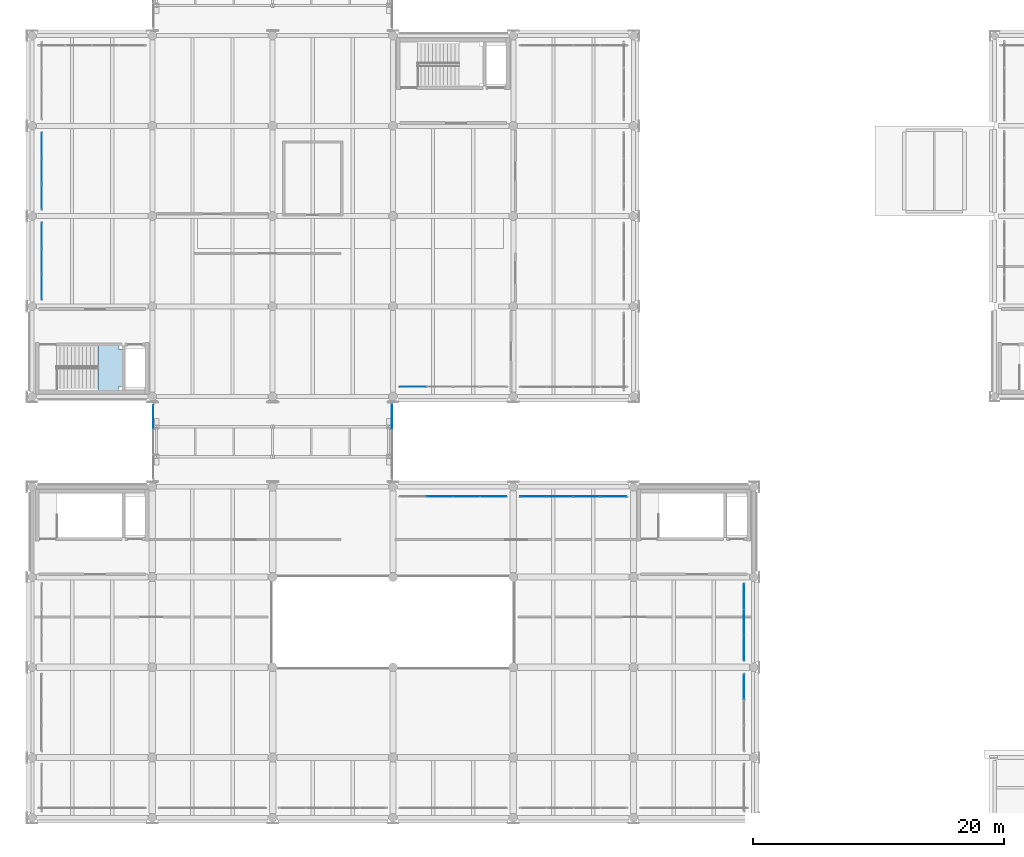
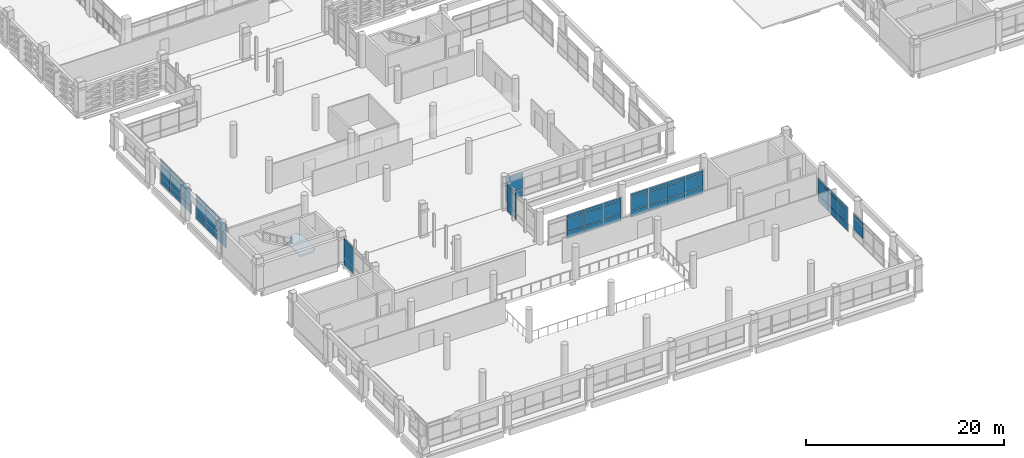
# One storey, part 122 of 180: 59 plates, 1 slab, 10 elements without a shape of their own.
"""IFC4 building model written with IfcOpenShell, lengths in metres."""

from ifc_helpers import new_model, si_unit, direction, frame, origin, origin_2d, place, context, subcontext, project, spatial, polyline, rectangle, outline, extrude, material, layer, layer_set, type_object, element, aggregate, save


model = new_model("IFC4")

# Units and contexts
model_context = context("Model", 3, precision=1e-05, world=origin(), true_north=direction((0.0, 1.0)))
body_context = subcontext(model_context, "Body", "Model", "MODEL_VIEW")
ifc_project = project(units=[si_unit("LENGTHUNIT", "METRE"), si_unit("AREAUNIT", "SQUARE_METRE"), si_unit("VOLUMEUNIT", "CUBIC_METRE"), si_unit("PLANEANGLEUNIT", "RADIAN"), si_unit("MASSUNIT", "GRAM", prefix="KILO")], contexts=[model_context])

# Site, building, storey
site_placement = place(None, origin())
site = spatial("IfcSite", under=ifc_project, at=site_placement, CompositionType="ELEMENT")
building_placement = place(site_placement, origin())
building = spatial("IfcBuilding", under=site, at=building_placement, Name="Asteropetra Specialist Clinic", CompositionType="ELEMENT")
storey_placement = place(building_placement, frame((0.0, 0.0, 4.419921875)))
storey = spatial("IfcBuildingStorey", under=building, at=storey_placement, Name="L01", CompositionType="ELEMENT", Elevation=4.419921875)

# Curtain wall, plates
ifc_material_1 = material(Name="Aluminium and low-E glass", Category="aluminium")
ifc_layer_1 = layer(ifc_material_1, 0.179931640625)
ifc_layer_set_1 = layer_set([ifc_layer_1], Name="Aluminium and low-E glass")
curtain_wall_type_1 = type_object("IfcCurtainWallType", Name="CW-SYS-10", PredefinedType="USERDEFINED", material=ifc_layer_set_1)
curtain_wall_1_placement = place(storey_placement, origin())
curtain_wall_1 = element("IfcCurtainWall", 1, at=curtain_wall_1_placement, inside=storey, type_object=curtain_wall_type_1, Name="Curtain Wall CW-144", ObjectType="STICK GLAZED COLONNADE", PredefinedType="USERDEFINED")
ifc_material_2 = material(Name="Low-E double glazing", Category="glass")
ifc_layer_2 = layer(ifc_material_2, 0.028076171875)
ifc_layer_set_2 = layer_set([ifc_layer_2], Name="Low-E double glazing")
plate_type_1 = type_object("IfcPlateType", Name="CWP-GLZ-28", PredefinedType="CURTAIN_PANEL", material=ifc_layer_set_2)
plate_1_placement = place(storey_placement, frame((56.820068359375, 10.441162109375, 0.9375), z_axis=(0.0, 0.0, 1.0), x_axis=(0.0, 1.0, 0.0)))
plate_1 = element("IfcPlate", 2, at=plate_1_placement, type_object=plate_type_1, Name="CW-144 panel 3.2", PredefinedType="CURTAIN_PANEL", context=body_context, shape_type="SweptSolid", body=[
    extrude(rectangle(XDim=1.947509765625, YDim=0.028076171875, at=origin_2d()), origin(), (0.0, 0.0, 1.0), 1.534912109375),
])
plate_2_placement = place(storey_placement, frame((56.820068359375, 10.441162109375, 2.54736328125), z_axis=(0.0, 0.0, 1.0), x_axis=(0.0, 1.0, 0.0)))
plate_2 = element("IfcPlate", 3, at=plate_2_placement, type_object=plate_type_1, Name="CW-144 panel 3.3", PredefinedType="CURTAIN_PANEL", context=body_context, shape_type="SweptSolid", body=[
    extrude(rectangle(XDim=1.947509765625, YDim=0.028076171875, at=origin_2d()), origin(), (0.0, 0.0, 1.0), 0.387451171875),
])
aggregate(curtain_wall_1, [plate_1, plate_2])

ifc_material_3 = material(Name="Aluminium and low-E glass", Category="aluminium")
ifc_layer_3 = layer(ifc_material_3, 0.135009765625)
ifc_layer_set_3 = layer_set([ifc_layer_3], Name="Aluminium and low-E glass")
curtain_wall_type_2 = type_object("IfcCurtainWallType", Name="CW-SYS-09", PredefinedType="USERDEFINED", material=ifc_layer_set_3)
curtain_wall_2_placement = place(storey_placement, origin())
curtain_wall_2 = element("IfcCurtainWall", 4, at=curtain_wall_2_placement, inside=storey, type_object=curtain_wall_type_2, Name="Curtain Wall CW-156", ObjectType="STICK GLAZED COLONNADE", PredefinedType="USERDEFINED")
plate_3_placement = place(storey_placement, frame((30.4013671875, 34.3798828125, 0.074951171875), z_axis=(0.0, 0.0, 1.0), x_axis=(1.0, 0.0, 0.0)))
plate_3 = element("IfcPlate", 5, at=plate_3_placement, type_object=plate_type_1, Name="CW-156 panel 1.1", PredefinedType="CURTAIN_PANEL", context=body_context, shape_type="SweptSolid", body=[
    extrude(rectangle(XDim=2.032470703125, YDim=0.028076171875, at=origin_2d()), origin(), (0.0, 0.0, 1.0), 0.78759765625),
])
plate_4_placement = place(storey_placement, frame((30.4013671875, 34.3798828125, 0.9375), z_axis=(0.0, 0.0, 1.0), x_axis=(1.0, 0.0, 0.0)))
plate_4 = element("IfcPlate", 6, at=plate_4_placement, type_object=plate_type_1, Name="CW-156 panel 1.2", PredefinedType="CURTAIN_PANEL", context=body_context, shape_type="SweptSolid", body=[
    extrude(rectangle(XDim=2.032470703125, YDim=0.028076171875, at=origin_2d()), origin(), (0.0, 0.0, 1.0), 1.5849609375),
])
plate_5_placement = place(storey_placement, frame((30.4013671875, 34.3798828125, 2.59765625), z_axis=(0.0, 0.0, 1.0), x_axis=(1.0, 0.0, 0.0)))
plate_5 = element("IfcPlate", 7, at=plate_5_placement, type_object=plate_type_1, Name="CW-156 panel 1.3", PredefinedType="CURTAIN_PANEL", context=body_context, shape_type="SweptSolid", body=[
    extrude(rectangle(XDim=2.032470703125, YDim=0.028076171875, at=origin_2d()), origin(), (0.0, 0.0, 1.0), 0.387451171875),
])
aggregate(curtain_wall_2, [plate_3, plate_4, plate_5])

curtain_wall_3_placement = place(storey_placement, origin())
curtain_wall_3 = element("IfcCurtainWall", 8, at=curtain_wall_3_placement, inside=storey, type_object=curtain_wall_type_1, Name="Curtain Wall CW-160", ObjectType="STICK GLAZED COLONNADE", PredefinedType="USERDEFINED")
plate_6_placement = place(storey_placement, frame((0.780029296875, 46.44384765625, 0.06494140625), z_axis=(0.0, 0.0, 1.0), x_axis=(0.0, -1.0, 0.0)))
plate_6 = element("IfcPlate", 9, at=plate_6_placement, type_object=plate_type_1, Name="CW-160 panel 1.1", PredefinedType="CURTAIN_PANEL", context=body_context, shape_type="SweptSolid", body=[
    extrude(rectangle(XDim=1.96240234375, YDim=0.028076171875, at=origin_2d()), origin(), (0.0, 0.0, 1.0), 0.802490234375),
])
plate_7_placement = place(storey_placement, frame((0.780029296875, 46.44384765625, 0.9326171875), z_axis=(0.0, 0.0, 1.0), x_axis=(0.0, -1.0, 0.0)))
plate_7 = element("IfcPlate", 10, at=plate_7_placement, type_object=plate_type_1, Name="CW-160 panel 1.2", PredefinedType="CURTAIN_PANEL", context=body_context, shape_type="SweptSolid", body=[
    extrude(rectangle(XDim=1.96240234375, YDim=0.028076171875, at=origin_2d()), origin(), (0.0, 0.0, 1.0), 1.594970703125),
])
plate_8_placement = place(storey_placement, frame((0.780029296875, 46.44384765625, 2.5927734375), z_axis=(0.0, 0.0, 1.0), x_axis=(0.0, -1.0, 0.0)))
plate_8 = element("IfcPlate", 11, at=plate_8_placement, type_object=plate_type_1, Name="CW-160 panel 1.3", PredefinedType="CURTAIN_PANEL", context=body_context, shape_type="SweptSolid", body=[
    extrude(rectangle(XDim=1.96240234375, YDim=0.028076171875, at=origin_2d()), origin(), (0.0, 0.0, 1.0), 0.402587890625),
])
plate_9_placement = place(storey_placement, frame((0.780029296875, 44.39990234375, 0.06494140625), z_axis=(0.0, 0.0, 1.0), x_axis=(0.0, -1.0, 0.0)))
plate_9 = element("IfcPlate", 12, at=plate_9_placement, type_object=plate_type_1, Name="CW-160 panel 2.1", PredefinedType="CURTAIN_PANEL", context=body_context, shape_type="SweptSolid", body=[
    extrude(rectangle(XDim=1.9951171875, YDim=0.028076171875, at=origin_2d()), origin(), (0.0, 0.0, 1.0), 0.802490234375),
])
plate_10_placement = place(storey_placement, frame((0.780029296875, 44.39990234375, 0.9326171875), z_axis=(0.0, 0.0, 1.0), x_axis=(0.0, -1.0, 0.0)))
plate_10 = element("IfcPlate", 13, at=plate_10_placement, type_object=plate_type_1, Name="CW-160 panel 2.2", PredefinedType="CURTAIN_PANEL", context=body_context, shape_type="SweptSolid", body=[
    extrude(rectangle(XDim=1.9951171875, YDim=0.028076171875, at=origin_2d()), origin(), (0.0, 0.0, 1.0), 1.594970703125),
])
plate_11_placement = place(storey_placement, frame((0.780029296875, 44.39990234375, 2.5927734375), z_axis=(0.0, 0.0, 1.0), x_axis=(0.0, -1.0, 0.0)))
plate_11 = element("IfcPlate", 14, at=plate_11_placement, type_object=plate_type_1, Name="CW-160 panel 2.3", PredefinedType="CURTAIN_PANEL", context=body_context, shape_type="SweptSolid", body=[
    extrude(rectangle(XDim=1.9951171875, YDim=0.028076171875, at=origin_2d()), origin(), (0.0, 0.0, 1.0), 0.402587890625),
])
plate_12_placement = place(storey_placement, frame((0.780029296875, 42.356201171875, 0.06494140625), z_axis=(0.0, 0.0, 1.0), x_axis=(0.0, -1.0, 0.0)))
plate_12 = element("IfcPlate", 15, at=plate_12_placement, type_object=plate_type_1, Name="CW-160 panel 3.1", PredefinedType="CURTAIN_PANEL", context=body_context, shape_type="SweptSolid", body=[
    extrude(rectangle(XDim=1.96240234375, YDim=0.028076171875, at=origin_2d()), origin(), (0.0, 0.0, 1.0), 0.802490234375),
])
plate_13_placement = place(storey_placement, frame((0.780029296875, 42.356201171875, 0.9326171875), z_axis=(0.0, 0.0, 1.0), x_axis=(0.0, -1.0, 0.0)))
plate_13 = element("IfcPlate", 16, at=plate_13_placement, type_object=plate_type_1, Name="CW-160 panel 3.2", PredefinedType="CURTAIN_PANEL", context=body_context, shape_type="SweptSolid", body=[
    extrude(rectangle(XDim=1.96240234375, YDim=0.028076171875, at=origin_2d()), origin(), (0.0, 0.0, 1.0), 1.594970703125),
])
plate_14_placement = place(storey_placement, frame((0.780029296875, 42.356201171875, 2.5927734375), z_axis=(0.0, 0.0, 1.0), x_axis=(0.0, -1.0, 0.0)))
plate_14 = element("IfcPlate", 17, at=plate_14_placement, type_object=plate_type_1, Name="CW-160 panel 3.3", PredefinedType="CURTAIN_PANEL", context=body_context, shape_type="SweptSolid", body=[
    extrude(rectangle(XDim=1.96240234375, YDim=0.028076171875, at=origin_2d()), origin(), (0.0, 0.0, 1.0), 0.402587890625),
])
aggregate(curtain_wall_3, [plate_6, plate_7, plate_8, plate_9, plate_10, plate_11, plate_12, plate_13, plate_14])

ifc_material_4 = material(Name="Aluminium and low-E glass", Category="aluminium")
ifc_layer_4 = layer(ifc_material_4, 0.179931640625)
ifc_layer_set_4 = layer_set([ifc_layer_4], Name="Aluminium and low-E glass")
curtain_wall_type_3 = type_object("IfcCurtainWallType", Name="CW-SYS-07", PredefinedType="USERDEFINED", material=ifc_layer_set_4)
curtain_wall_4_placement = place(storey_placement, origin())
curtain_wall_4 = element("IfcCurtainWall", 18, at=curtain_wall_4_placement, inside=storey, type_object=curtain_wall_type_3, Name="Curtain Wall CW-097", ObjectType="STICK GLAZED COLONNADE", PredefinedType="USERDEFINED")
ifc_material_5 = material(Name="Low-E acoustic double glazing", Category="glass")
ifc_layer_5 = layer(ifc_material_5, 0.031982421875)
ifc_layer_set_5 = layer_set([ifc_layer_5], Name="Low-E acoustic double glazing")
plate_type_2 = type_object("IfcPlateType", Name="CWP-GLZ-32", PredefinedType="CURTAIN_PANEL", material=ifc_layer_set_5)
plate_15_placement = place(storey_placement, frame((9.679931640625, 31.97705078125, 0.06494140625), z_axis=(0.0, 0.0, 1.0), x_axis=(0.0, 1.0, 0.0)))
plate_15 = element("IfcPlate", 19, at=plate_15_placement, type_object=plate_type_2, Name="CW-097 panel 3.1", PredefinedType="CURTAIN_PANEL", context=body_context, shape_type="SweptSolid", body=[
    extrude(rectangle(XDim=1.895751953125, YDim=0.031982421875, at=origin_2d()), origin(), (0.0, 0.0, 1.0), 0.802490234375),
])
plate_16_placement = place(storey_placement, frame((9.679931640625, 31.97705078125, 0.9326171875), z_axis=(0.0, 0.0, 1.0), x_axis=(0.0, 1.0, 0.0)))
plate_16 = element("IfcPlate", 20, at=plate_16_placement, type_object=plate_type_2, Name="CW-097 panel 3.2", PredefinedType="CURTAIN_PANEL", context=body_context, shape_type="SweptSolid", body=[
    extrude(rectangle(XDim=1.895751953125, YDim=0.031982421875, at=origin_2d()), origin(), (0.0, 0.0, 1.0), 1.965087890625),
])
plate_17_placement = place(storey_placement, frame((9.679931640625, 31.97705078125, 2.96240234375), z_axis=(0.0, 0.0, 1.0), x_axis=(0.0, 1.0, 0.0)))
plate_17 = element("IfcPlate", 21, at=plate_17_placement, type_object=plate_type_2, Name="CW-097 panel 3.3", PredefinedType="CURTAIN_PANEL", context=body_context, shape_type="SweptSolid", body=[
    extrude(rectangle(XDim=1.895751953125, YDim=0.031982421875, at=origin_2d()), origin(), (0.0, 0.0, 1.0), 0.402587890625),
])
aggregate(curtain_wall_4, [plate_15, plate_16, plate_17])

curtain_wall_5_placement = place(storey_placement, origin())
curtain_wall_5 = element("IfcCurtainWall", 22, at=curtain_wall_5_placement, inside=storey, type_object=curtain_wall_type_2, Name="Curtain Wall CW-137", ObjectType="STICK GLAZED COLONNADE", PredefinedType="USERDEFINED")
plate_18_placement = place(storey_placement, frame((36.802490234375, 25.6201171875, 0.06005859375), z_axis=(0.0, 0.0, 1.0), x_axis=(-1.0, 0.0, 0.0)))
plate_18 = element("IfcPlate", 23, at=plate_18_placement, type_object=plate_type_2, Name="CW-137 panel 1.1", PredefinedType="CURTAIN_PANEL", context=body_context, shape_type="SweptSolid", body=[
    extrude(rectangle(XDim=2.054931640625, YDim=0.031982421875, at=origin_2d()), origin(), (0.0, 0.0, 1.0), 0.81005859375),
])
plate_19_placement = place(storey_placement, frame((36.802490234375, 25.6201171875, 0.93017578125), z_axis=(0.0, 0.0, 1.0), x_axis=(-1.0, 0.0, 0.0)))
plate_19 = element("IfcPlate", 24, at=plate_19_placement, type_object=plate_type_2, Name="CW-137 panel 1.2", PredefinedType="CURTAIN_PANEL", context=body_context, shape_type="SweptSolid", body=[
    extrude(rectangle(XDim=2.054931640625, YDim=0.031982421875, at=origin_2d()), origin(), (0.0, 0.0, 1.0), 1.550048828125),
])
plate_20_placement = place(storey_placement, frame((36.802490234375, 25.6201171875, 2.5400390625), z_axis=(0.0, 0.0, 1.0), x_axis=(-1.0, 0.0, 0.0)))
plate_20 = element("IfcPlate", 25, at=plate_20_placement, type_object=plate_type_2, Name="CW-137 panel 1.3", PredefinedType="CURTAIN_PANEL", context=body_context, shape_type="SweptSolid", body=[
    extrude(rectangle(XDim=2.054931640625, YDim=0.031982421875, at=origin_2d()), origin(), (0.0, 0.0, 1.0), 0.409912109375),
])
plate_21_placement = place(storey_placement, frame((34.672607421875, 25.6201171875, 0.06005859375), z_axis=(0.0, 0.0, 1.0), x_axis=(-1.0, 0.0, 0.0)))
plate_21 = element("IfcPlate", 26, at=plate_21_placement, type_object=plate_type_2, Name="CW-137 panel 2.1", PredefinedType="CURTAIN_PANEL", context=body_context, shape_type="SweptSolid", body=[
    extrude(rectangle(XDim=2.0849609375, YDim=0.031982421875, at=origin_2d()), origin(), (0.0, 0.0, 1.0), 0.81005859375),
])
plate_22_placement = place(storey_placement, frame((34.672607421875, 25.6201171875, 0.93017578125), z_axis=(0.0, 0.0, 1.0), x_axis=(-1.0, 0.0, 0.0)))
plate_22 = element("IfcPlate", 27, at=plate_22_placement, type_object=plate_type_2, Name="CW-137 panel 2.2", PredefinedType="CURTAIN_PANEL", context=body_context, shape_type="SweptSolid", body=[
    extrude(rectangle(XDim=2.0849609375, YDim=0.031982421875, at=origin_2d()), origin(), (0.0, 0.0, 1.0), 1.550048828125),
])
plate_23_placement = place(storey_placement, frame((34.672607421875, 25.6201171875, 2.5400390625), z_axis=(0.0, 0.0, 1.0), x_axis=(-1.0, 0.0, 0.0)))
plate_23 = element("IfcPlate", 28, at=plate_23_placement, type_object=plate_type_2, Name="CW-137 panel 2.3", PredefinedType="CURTAIN_PANEL", context=body_context, shape_type="SweptSolid", body=[
    extrude(rectangle(XDim=2.0849609375, YDim=0.031982421875, at=origin_2d()), origin(), (0.0, 0.0, 1.0), 0.409912109375),
])
plate_24_placement = place(storey_placement, frame((32.527587890625, 25.6201171875, 0.06005859375), z_axis=(0.0, 0.0, 1.0), x_axis=(-1.0, 0.0, 0.0)))
plate_24 = element("IfcPlate", 29, at=plate_24_placement, type_object=plate_type_2, Name="CW-137 panel 3.1", PredefinedType="CURTAIN_PANEL", context=body_context, shape_type="SweptSolid", body=[
    extrude(rectangle(XDim=2.0849609375, YDim=0.031982421875, at=origin_2d()), origin(), (0.0, 0.0, 1.0), 0.81005859375),
])
plate_25_placement = place(storey_placement, frame((32.527587890625, 25.6201171875, 0.93017578125), z_axis=(0.0, 0.0, 1.0), x_axis=(-1.0, 0.0, 0.0)))
plate_25 = element("IfcPlate", 30, at=plate_25_placement, type_object=plate_type_2, Name="CW-137 panel 3.2", PredefinedType="CURTAIN_PANEL", context=body_context, shape_type="SweptSolid", body=[
    extrude(rectangle(XDim=2.0849609375, YDim=0.031982421875, at=origin_2d()), origin(), (0.0, 0.0, 1.0), 1.550048828125),
])
plate_26_placement = place(storey_placement, frame((32.527587890625, 25.6201171875, 2.5400390625), z_axis=(0.0, 0.0, 1.0), x_axis=(-1.0, 0.0, 0.0)))
plate_26 = element("IfcPlate", 31, at=plate_26_placement, type_object=plate_type_2, Name="CW-137 panel 3.3", PredefinedType="CURTAIN_PANEL", context=body_context, shape_type="SweptSolid", body=[
    extrude(rectangle(XDim=2.0849609375, YDim=0.031982421875, at=origin_2d()), origin(), (0.0, 0.0, 1.0), 0.409912109375),
])
aggregate(curtain_wall_5, [plate_18, plate_19, plate_20, plate_21, plate_22, plate_23, plate_24, plate_25, plate_26])

ifc_material_6 = material(Name="Aluminium and low-E glass", Category="aluminium")
ifc_layer_6 = layer(ifc_material_6, 0.14990234375)
ifc_layer_set_6 = layer_set([ifc_layer_6], Name="Aluminium and low-E glass")
curtain_wall_type_4 = type_object("IfcCurtainWallType", Name="CW-SYS-08", PredefinedType="USERDEFINED", material=ifc_layer_set_6)
curtain_wall_6_placement = place(storey_placement, origin())
curtain_wall_6 = element("IfcCurtainWall", 32, at=curtain_wall_6_placement, inside=storey, type_object=curtain_wall_type_4, Name="Curtain Wall CW-098", ObjectType="STICK GLAZED COLONNADE", PredefinedType="USERDEFINED")
ifc_material_7 = material(Name="Solar-control triple glazing", Category="glass")
ifc_layer_7 = layer(ifc_material_7, 0.035888671875)
ifc_layer_set_7 = layer_set([ifc_layer_7], Name="Solar-control triple glazing")
plate_type_3 = type_object("IfcPlateType", Name="CWP-GLZ-36", PredefinedType="CURTAIN_PANEL", material=ifc_layer_set_7)
plate_27_placement = place(storey_placement, frame((28.719970703125, 31.978271484375, 0.06005859375), z_axis=(0.0, 0.0, 1.0), x_axis=(0.0, -1.0, 0.0)))
plate_27 = element("IfcPlate", 33, at=plate_27_placement, type_object=plate_type_3, Name="CW-098 panel 1.1", PredefinedType="CURTAIN_PANEL", context=body_context, shape_type="SweptSolid", body=[
    extrude(rectangle(XDim=1.9033203125, YDim=0.035888671875, at=origin_2d()), origin(), (0.0, 0.0, 1.0), 0.81005859375),
])
plate_28_placement = place(storey_placement, frame((28.719970703125, 31.978271484375, 0.93017578125), z_axis=(0.0, 0.0, 1.0), x_axis=(0.0, -1.0, 0.0)))
plate_28 = element("IfcPlate", 34, at=plate_28_placement, type_object=plate_type_3, Name="CW-098 panel 1.2", PredefinedType="CURTAIN_PANEL", context=body_context, shape_type="SweptSolid", body=[
    extrude(rectangle(XDim=1.9033203125, YDim=0.035888671875, at=origin_2d()), origin(), (0.0, 0.0, 1.0), 1.969970703125),
])
plate_29_placement = place(storey_placement, frame((28.719970703125, 31.978271484375, 2.9599609375), z_axis=(0.0, 0.0, 1.0), x_axis=(0.0, -1.0, 0.0)))
plate_29 = element("IfcPlate", 35, at=plate_29_placement, type_object=plate_type_3, Name="CW-098 panel 1.3", PredefinedType="CURTAIN_PANEL", context=body_context, shape_type="SweptSolid", body=[
    extrude(rectangle(XDim=1.9033203125, YDim=0.035888671875, at=origin_2d()), origin(), (0.0, 0.0, 1.0), 0.409912109375),
])
aggregate(curtain_wall_6, [plate_27, plate_28, plate_29])

curtain_wall_7_placement = place(storey_placement, origin())
curtain_wall_7 = element("IfcCurtainWall", 36, at=curtain_wall_7_placement, inside=storey, type_object=curtain_wall_type_1, Name="Curtain Wall CW-146", ObjectType="STICK GLAZED COLONNADE", PredefinedType="USERDEFINED")
plate_30_placement = place(storey_placement, frame((56.820068359375, 13.554931640625, 0.06005859375), z_axis=(0.0, 0.0, 1.0), x_axis=(0.0, 1.0, 0.0)))
plate_30 = element("IfcPlate", 37, at=plate_30_placement, type_object=plate_type_3, Name="CW-146 panel 1.1", PredefinedType="CURTAIN_PANEL", context=body_context, shape_type="SweptSolid", body=[
    extrude(rectangle(XDim=1.969970703125, YDim=0.035888671875, at=origin_2d()), origin(), (0.0, 0.0, 1.0), 0.81005859375),
])
plate_31_placement = place(storey_placement, frame((56.820068359375, 13.554931640625, 0.93017578125), z_axis=(0.0, 0.0, 1.0), x_axis=(0.0, 1.0, 0.0)))
plate_31 = element("IfcPlate", 38, at=plate_31_placement, type_object=plate_type_3, Name="CW-146 panel 1.2", PredefinedType="CURTAIN_PANEL", context=body_context, shape_type="SweptSolid", body=[
    extrude(rectangle(XDim=1.969970703125, YDim=0.035888671875, at=origin_2d()), origin(), (0.0, 0.0, 1.0), 1.550048828125),
])
plate_32_placement = place(storey_placement, frame((56.820068359375, 13.554931640625, 2.5400390625), z_axis=(0.0, 0.0, 1.0), x_axis=(0.0, 1.0, 0.0)))
plate_32 = element("IfcPlate", 39, at=plate_32_placement, type_object=plate_type_3, Name="CW-146 panel 1.3", PredefinedType="CURTAIN_PANEL", context=body_context, shape_type="SweptSolid", body=[
    extrude(rectangle(XDim=1.969970703125, YDim=0.035888671875, at=origin_2d()), origin(), (0.0, 0.0, 1.0), 0.409912109375),
])
plate_33_placement = place(storey_placement, frame((56.820068359375, 15.60009765625, 0.06005859375), z_axis=(0.0, 0.0, 1.0), x_axis=(0.0, 1.0, 0.0)))
plate_33 = element("IfcPlate", 40, at=plate_33_placement, type_object=plate_type_3, Name="CW-146 panel 2.1", PredefinedType="CURTAIN_PANEL", context=body_context, shape_type="SweptSolid", body=[
    extrude(rectangle(XDim=2.0, YDim=0.035888671875, at=origin_2d()), origin(), (0.0, 0.0, 1.0), 0.81005859375),
])
plate_34_placement = place(storey_placement, frame((56.820068359375, 15.60009765625, 0.93017578125), z_axis=(0.0, 0.0, 1.0), x_axis=(0.0, 1.0, 0.0)))
plate_34 = element("IfcPlate", 41, at=plate_34_placement, type_object=plate_type_3, Name="CW-146 panel 2.2", PredefinedType="CURTAIN_PANEL", context=body_context, shape_type="SweptSolid", body=[
    extrude(rectangle(XDim=2.0, YDim=0.035888671875, at=origin_2d()), origin(), (0.0, 0.0, 1.0), 1.550048828125),
])
plate_35_placement = place(storey_placement, frame((56.820068359375, 15.60009765625, 2.5400390625), z_axis=(0.0, 0.0, 1.0), x_axis=(0.0, 1.0, 0.0)))
plate_35 = element("IfcPlate", 42, at=plate_35_placement, type_object=plate_type_3, Name="CW-146 panel 2.3", PredefinedType="CURTAIN_PANEL", context=body_context, shape_type="SweptSolid", body=[
    extrude(rectangle(XDim=2.0, YDim=0.035888671875, at=origin_2d()), origin(), (0.0, 0.0, 1.0), 0.409912109375),
])
plate_36_placement = place(storey_placement, frame((56.820068359375, 17.64501953125, 0.06005859375), z_axis=(0.0, 0.0, 1.0), x_axis=(0.0, 1.0, 0.0)))
plate_36 = element("IfcPlate", 43, at=plate_36_placement, type_object=plate_type_3, Name="CW-146 panel 3.1", PredefinedType="CURTAIN_PANEL", context=body_context, shape_type="SweptSolid", body=[
    extrude(rectangle(XDim=1.969970703125, YDim=0.035888671875, at=origin_2d()), origin(), (0.0, 0.0, 1.0), 0.81005859375),
])
plate_37_placement = place(storey_placement, frame((56.820068359375, 17.64501953125, 0.93017578125), z_axis=(0.0, 0.0, 1.0), x_axis=(0.0, 1.0, 0.0)))
plate_37 = element("IfcPlate", 44, at=plate_37_placement, type_object=plate_type_3, Name="CW-146 panel 3.2", PredefinedType="CURTAIN_PANEL", context=body_context, shape_type="SweptSolid", body=[
    extrude(rectangle(XDim=1.969970703125, YDim=0.035888671875, at=origin_2d()), origin(), (0.0, 0.0, 1.0), 1.550048828125),
])
plate_38_placement = place(storey_placement, frame((56.820068359375, 17.64501953125, 2.5400390625), z_axis=(0.0, 0.0, 1.0), x_axis=(0.0, 1.0, 0.0)))
plate_38 = element("IfcPlate", 45, at=plate_38_placement, type_object=plate_type_3, Name="CW-146 panel 3.3", PredefinedType="CURTAIN_PANEL", context=body_context, shape_type="SweptSolid", body=[
    extrude(rectangle(XDim=1.969970703125, YDim=0.035888671875, at=origin_2d()), origin(), (0.0, 0.0, 1.0), 0.409912109375),
])
aggregate(curtain_wall_7, [plate_30, plate_31, plate_32, plate_33, plate_34, plate_35, plate_36, plate_37, plate_38])

curtain_wall_8_placement = place(storey_placement, origin())
curtain_wall_8 = element("IfcCurtainWall", 46, at=curtain_wall_8_placement, inside=storey, type_object=curtain_wall_type_1, Name="Curtain Wall CW-162", ObjectType="STICK GLAZED COLONNADE", PredefinedType="USERDEFINED")
plate_39_placement = place(storey_placement, frame((0.780029296875, 53.641357421875, 0.074951171875), z_axis=(0.0, 0.0, 1.0), x_axis=(0.0, -1.0, 0.0)))
plate_39 = element("IfcPlate", 47, at=plate_39_placement, type_object=plate_type_3, Name="CW-162 panel 1.1", PredefinedType="CURTAIN_PANEL", context=body_context, shape_type="SweptSolid", body=[
    extrude(rectangle(XDim=1.947509765625, YDim=0.035888671875, at=origin_2d()), origin(), (0.0, 0.0, 1.0), 0.78759765625),
])
plate_40_placement = place(storey_placement, frame((0.780029296875, 53.641357421875, 0.9375), z_axis=(0.0, 0.0, 1.0), x_axis=(0.0, -1.0, 0.0)))
plate_40 = element("IfcPlate", 48, at=plate_40_placement, type_object=plate_type_3, Name="CW-162 panel 1.2", PredefinedType="CURTAIN_PANEL", context=body_context, shape_type="SweptSolid", body=[
    extrude(rectangle(XDim=1.947509765625, YDim=0.035888671875, at=origin_2d()), origin(), (0.0, 0.0, 1.0), 1.5849609375),
])
plate_41_placement = place(storey_placement, frame((0.780029296875, 53.641357421875, 2.59765625), z_axis=(0.0, 0.0, 1.0), x_axis=(0.0, -1.0, 0.0)))
plate_41 = element("IfcPlate", 49, at=plate_41_placement, type_object=plate_type_3, Name="CW-162 panel 1.3", PredefinedType="CURTAIN_PANEL", context=body_context, shape_type="SweptSolid", body=[
    extrude(rectangle(XDim=1.947509765625, YDim=0.035888671875, at=origin_2d()), origin(), (0.0, 0.0, 1.0), 0.387451171875),
])
plate_42_placement = place(storey_placement, frame((0.780029296875, 51.60009765625, 0.074951171875), z_axis=(0.0, 0.0, 1.0), x_axis=(0.0, -1.0, 0.0)))
plate_42 = element("IfcPlate", 50, at=plate_42_placement, type_object=plate_type_3, Name="CW-162 panel 2.1", PredefinedType="CURTAIN_PANEL", context=body_context, shape_type="SweptSolid", body=[
    extrude(rectangle(XDim=1.985107421875, YDim=0.035888671875, at=origin_2d()), origin(), (0.0, 0.0, 1.0), 0.78759765625),
])
plate_43_placement = place(storey_placement, frame((0.780029296875, 51.60009765625, 0.9375), z_axis=(0.0, 0.0, 1.0), x_axis=(0.0, -1.0, 0.0)))
plate_43 = element("IfcPlate", 51, at=plate_43_placement, type_object=plate_type_3, Name="CW-162 panel 2.2", PredefinedType="CURTAIN_PANEL", context=body_context, shape_type="SweptSolid", body=[
    extrude(rectangle(XDim=1.985107421875, YDim=0.035888671875, at=origin_2d()), origin(), (0.0, 0.0, 1.0), 1.5849609375),
])
plate_44_placement = place(storey_placement, frame((0.780029296875, 51.60009765625, 2.59765625), z_axis=(0.0, 0.0, 1.0), x_axis=(0.0, -1.0, 0.0)))
plate_44 = element("IfcPlate", 52, at=plate_44_placement, type_object=plate_type_3, Name="CW-162 panel 2.3", PredefinedType="CURTAIN_PANEL", context=body_context, shape_type="SweptSolid", body=[
    extrude(rectangle(XDim=1.985107421875, YDim=0.035888671875, at=origin_2d()), origin(), (0.0, 0.0, 1.0), 0.387451171875),
])
plate_45_placement = place(storey_placement, frame((0.780029296875, 49.558837890625, 0.074951171875), z_axis=(0.0, 0.0, 1.0), x_axis=(0.0, -1.0, 0.0)))
plate_45 = element("IfcPlate", 53, at=plate_45_placement, type_object=plate_type_3, Name="CW-162 panel 3.1", PredefinedType="CURTAIN_PANEL", context=body_context, shape_type="SweptSolid", body=[
    extrude(rectangle(XDim=1.947509765625, YDim=0.035888671875, at=origin_2d()), origin(), (0.0, 0.0, 1.0), 0.78759765625),
])
plate_46_placement = place(storey_placement, frame((0.780029296875, 49.558837890625, 0.9375), z_axis=(0.0, 0.0, 1.0), x_axis=(0.0, -1.0, 0.0)))
plate_46 = element("IfcPlate", 54, at=plate_46_placement, type_object=plate_type_3, Name="CW-162 panel 3.2", PredefinedType="CURTAIN_PANEL", context=body_context, shape_type="SweptSolid", body=[
    extrude(rectangle(XDim=1.947509765625, YDim=0.035888671875, at=origin_2d()), origin(), (0.0, 0.0, 1.0), 1.5849609375),
])
plate_47_placement = place(storey_placement, frame((0.780029296875, 49.558837890625, 2.59765625), z_axis=(0.0, 0.0, 1.0), x_axis=(0.0, -1.0, 0.0)))
plate_47 = element("IfcPlate", 55, at=plate_47_placement, type_object=plate_type_3, Name="CW-162 panel 3.3", PredefinedType="CURTAIN_PANEL", context=body_context, shape_type="SweptSolid", body=[
    extrude(rectangle(XDim=1.947509765625, YDim=0.035888671875, at=origin_2d()), origin(), (0.0, 0.0, 1.0), 0.387451171875),
])
aggregate(curtain_wall_8, [plate_39, plate_40, plate_41, plate_42, plate_43, plate_44, plate_45, plate_46, plate_47])

ifc_material_8 = material(Name="Aluminium and low-E glass", Category="aluminium")
ifc_layer_8 = layer(ifc_material_8, 0.14990234375)
ifc_layer_set_8 = layer_set([ifc_layer_8], Name="Aluminium and low-E glass")
curtain_wall_type_5 = type_object("IfcCurtainWallType", Name="CW-SYS-11", PredefinedType="USERDEFINED", material=ifc_layer_set_8)
curtain_wall_9_placement = place(storey_placement, origin())
curtain_wall_9 = element("IfcCurtainWall", 56, at=curtain_wall_9_placement, inside=storey, type_object=curtain_wall_type_5, Name="Curtain Wall CW-139", ObjectType="STICK GLAZED COLONNADE", PredefinedType="USERDEFINED")
ifc_material_9 = material(Name="Laminated skylight glazing", Category="glass")
ifc_layer_9 = layer(ifc_material_9, 0.0400390625)
ifc_layer_set_9 = layer_set([ifc_layer_9], Name="Laminated skylight glazing")
plate_type_4 = type_object("IfcPlateType", Name="CWP-GLZ-40", PredefinedType="CURTAIN_PANEL", material=ifc_layer_set_9)
plate_48_placement = place(storey_placement, frame((46.4013671875, 25.6201171875, 0.06494140625), z_axis=(0.0, 0.0, 1.0), x_axis=(-1.0, 0.0, 0.0)))
plate_48 = element("IfcPlate", 57, at=plate_48_placement, type_object=plate_type_4, Name="CW-139 panel 1.1", PredefinedType="CURTAIN_PANEL", context=body_context, shape_type="SweptSolid", body=[
    extrude(rectangle(XDim=2.047607421875, YDim=0.0400390625, at=origin_2d()), origin(), (0.0, 0.0, 1.0), 0.802490234375),
])
plate_49_placement = place(storey_placement, frame((46.4013671875, 25.6201171875, 0.9326171875), z_axis=(0.0, 0.0, 1.0), x_axis=(-1.0, 0.0, 0.0)))
plate_49 = element("IfcPlate", 58, at=plate_49_placement, type_object=plate_type_4, Name="CW-139 panel 1.2", PredefinedType="CURTAIN_PANEL", context=body_context, shape_type="SweptSolid", body=[
    extrude(rectangle(XDim=2.047607421875, YDim=0.0400390625, at=origin_2d()), origin(), (0.0, 0.0, 1.0), 1.544921875),
])
plate_50_placement = place(storey_placement, frame((46.4013671875, 25.6201171875, 2.54248046875), z_axis=(0.0, 0.0, 1.0), x_axis=(-1.0, 0.0, 0.0)))
plate_50 = element("IfcPlate", 59, at=plate_50_placement, type_object=plate_type_4, Name="CW-139 panel 1.3", PredefinedType="CURTAIN_PANEL", context=body_context, shape_type="SweptSolid", body=[
    extrude(rectangle(XDim=2.047607421875, YDim=0.0400390625, at=origin_2d()), origin(), (0.0, 0.0, 1.0), 0.402587890625),
])
plate_51_placement = place(storey_placement, frame((44.2724609375, 25.6201171875, 0.06494140625), z_axis=(0.0, 0.0, 1.0), x_axis=(-1.0, 0.0, 0.0)))
plate_51 = element("IfcPlate", 60, at=plate_51_placement, type_object=plate_type_4, Name="CW-139 panel 2.1", PredefinedType="CURTAIN_PANEL", context=body_context, shape_type="SweptSolid", body=[
    extrude(rectangle(XDim=2.080078125, YDim=0.0400390625, at=origin_2d()), origin(), (0.0, 0.0, 1.0), 0.802490234375),
])
plate_52_placement = place(storey_placement, frame((44.2724609375, 25.6201171875, 0.9326171875), z_axis=(0.0, 0.0, 1.0), x_axis=(-1.0, 0.0, 0.0)))
plate_52 = element("IfcPlate", 61, at=plate_52_placement, type_object=plate_type_4, Name="CW-139 panel 2.2", PredefinedType="CURTAIN_PANEL", context=body_context, shape_type="SweptSolid", body=[
    extrude(rectangle(XDim=2.080078125, YDim=0.0400390625, at=origin_2d()), origin(), (0.0, 0.0, 1.0), 1.544921875),
])
plate_53_placement = place(storey_placement, frame((44.2724609375, 25.6201171875, 2.54248046875), z_axis=(0.0, 0.0, 1.0), x_axis=(-1.0, 0.0, 0.0)))
plate_53 = element("IfcPlate", 62, at=plate_53_placement, type_object=plate_type_4, Name="CW-139 panel 2.3", PredefinedType="CURTAIN_PANEL", context=body_context, shape_type="SweptSolid", body=[
    extrude(rectangle(XDim=2.080078125, YDim=0.0400390625, at=origin_2d()), origin(), (0.0, 0.0, 1.0), 0.402587890625),
])
plate_54_placement = place(storey_placement, frame((42.12744140625, 25.6201171875, 0.06494140625), z_axis=(0.0, 0.0, 1.0), x_axis=(-1.0, 0.0, 0.0)))
plate_54 = element("IfcPlate", 63, at=plate_54_placement, type_object=plate_type_4, Name="CW-139 panel 3.1", PredefinedType="CURTAIN_PANEL", context=body_context, shape_type="SweptSolid", body=[
    extrude(rectangle(XDim=2.080078125, YDim=0.0400390625, at=origin_2d()), origin(), (0.0, 0.0, 1.0), 0.802490234375),
])
plate_55_placement = place(storey_placement, frame((42.12744140625, 25.6201171875, 0.9326171875), z_axis=(0.0, 0.0, 1.0), x_axis=(-1.0, 0.0, 0.0)))
plate_55 = element("IfcPlate", 64, at=plate_55_placement, type_object=plate_type_4, Name="CW-139 panel 3.2", PredefinedType="CURTAIN_PANEL", context=body_context, shape_type="SweptSolid", body=[
    extrude(rectangle(XDim=2.080078125, YDim=0.0400390625, at=origin_2d()), origin(), (0.0, 0.0, 1.0), 1.544921875),
])
plate_56_placement = place(storey_placement, frame((42.12744140625, 25.6201171875, 2.54248046875), z_axis=(0.0, 0.0, 1.0), x_axis=(-1.0, 0.0, 0.0)))
plate_56 = element("IfcPlate", 65, at=plate_56_placement, type_object=plate_type_4, Name="CW-139 panel 3.3", PredefinedType="CURTAIN_PANEL", context=body_context, shape_type="SweptSolid", body=[
    extrude(rectangle(XDim=2.080078125, YDim=0.0400390625, at=origin_2d()), origin(), (0.0, 0.0, 1.0), 0.402587890625),
])
plate_57_placement = place(storey_placement, frame((39.998779296875, 25.6201171875, 0.06494140625), z_axis=(0.0, 0.0, 1.0), x_axis=(-1.0, 0.0, 0.0)))
plate_57 = element("IfcPlate", 66, at=plate_57_placement, type_object=plate_type_4, Name="CW-139 panel 4.1", PredefinedType="CURTAIN_PANEL", context=body_context, shape_type="SweptSolid", body=[
    extrude(rectangle(XDim=2.047607421875, YDim=0.0400390625, at=origin_2d()), origin(), (0.0, 0.0, 1.0), 0.802490234375),
])
plate_58_placement = place(storey_placement, frame((39.998779296875, 25.6201171875, 0.9326171875), z_axis=(0.0, 0.0, 1.0), x_axis=(-1.0, 0.0, 0.0)))
plate_58 = element("IfcPlate", 67, at=plate_58_placement, type_object=plate_type_4, Name="CW-139 panel 4.2", PredefinedType="CURTAIN_PANEL", context=body_context, shape_type="SweptSolid", body=[
    extrude(rectangle(XDim=2.047607421875, YDim=0.0400390625, at=origin_2d()), origin(), (0.0, 0.0, 1.0), 1.544921875),
])
plate_59_placement = place(storey_placement, frame((39.998779296875, 25.6201171875, 2.54248046875), z_axis=(0.0, 0.0, 1.0), x_axis=(-1.0, 0.0, 0.0)))
plate_59 = element("IfcPlate", 68, at=plate_59_placement, type_object=plate_type_4, Name="CW-139 panel 4.3", PredefinedType="CURTAIN_PANEL", context=body_context, shape_type="SweptSolid", body=[
    extrude(rectangle(XDim=2.047607421875, YDim=0.0400390625, at=origin_2d()), origin(), (0.0, 0.0, 1.0), 0.402587890625),
])
aggregate(curtain_wall_9, [plate_48, plate_49, plate_50, plate_51, plate_52, plate_53, plate_54, plate_55, plate_56, plate_57, plate_58, plate_59])

# Stair, slab
ifc_material_10 = material(Name="Concrete C35/45", Category="concrete")
stair_type = type_object("IfcStairType", Name="STR-DOG-165", PredefinedType="TWO_STRAIGHT_RUN_STAIR", material=ifc_material_10)
stair_placement = place(storey_placement, origin())
stair = element("IfcStair", 69, at=stair_placement, inside=storey, type_object=stair_type, Name="Type I Stair ST04-L01", PredefinedType="TWO_STRAIGHT_RUN_STAIR")
ifc_material_11 = material(Name="Concrete C35/45", Category="concrete")
ifc_layer_10 = layer(ifc_material_11, 0.199951171875)
ifc_layer_set_10 = layer_set([ifc_layer_10], Name="Concrete C35/45")
slab_type = type_object("IfcSlabType", Name="SLB-LND-200", PredefinedType="LANDING", material=ifc_layer_set_10)
slab_placement = place(storey_placement, frame((0.0, 0.0, 1.840087890625)))
slab = element("IfcSlab", 70, at=slab_placement, type_object=slab_type, Name="ST04-L01 landing 1", PredefinedType="LANDING", context=body_context, shape_type="SweptSolid", body=[
    extrude(outline(polyline([(5.25, 34.090087890625), (6.89990234375, 34.090087890625), (6.89990234375, 34.409912109375), (7.219970703125, 34.409912109375), (7.219970703125, 37.409912109375), (6.89990234375, 37.409912109375), (6.89990234375, 37.72998046875), (5.25, 37.72998046875), (5.25, 34.090087890625)])), origin(), (0.0, 0.0, 1.0), 0.199951171875),
])
aggregate(stair, [slab])

save(model, "model.ifc")
